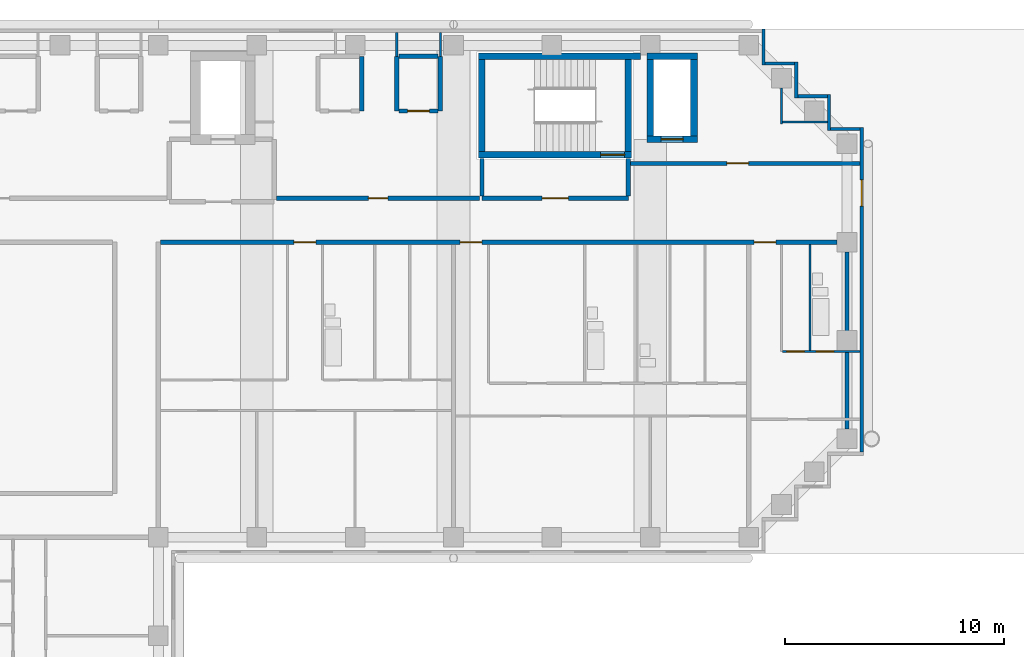
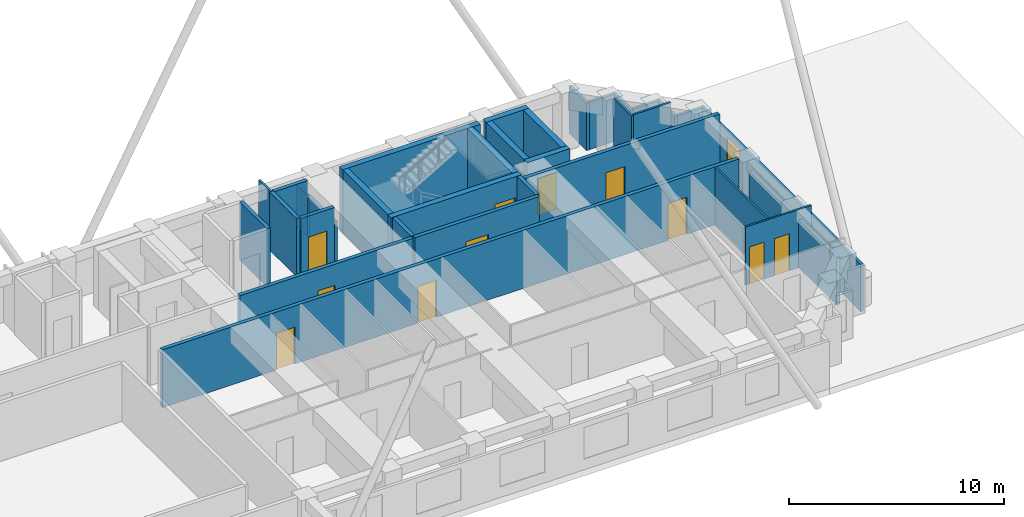
# One storey, part 8 of 11: 33 walls, 12 doors, 12 openings.
"""IFC4 building model written with IfcOpenShell, lengths in metres."""

from ifc_helpers import new_model, si_unit, direction, frame, frame_2d, origin, place, context, subcontext, project, spatial, rectangle, extrude, material, layer, layer_set, type_object, element, fill, save


model = new_model("IFC4")

# Units and contexts
model_context = context("Model", 3, precision=1e-05, world=origin(), true_north=direction((0.0, 1.0)))
body_context = subcontext(model_context, "Body", "Model", "MODEL_VIEW")
ifc_project = project(units=[si_unit("LENGTHUNIT", "METRE"), si_unit("AREAUNIT", "SQUARE_METRE"), si_unit("VOLUMEUNIT", "CUBIC_METRE"), si_unit("PLANEANGLEUNIT", "RADIAN"), si_unit("MASSUNIT", "GRAM", prefix="KILO")], contexts=[model_context])

# Site, building, storey
site_placement = place(None, origin())
site = spatial("IfcSite", under=ifc_project, at=site_placement, CompositionType="ELEMENT")
building_placement = place(site_placement, origin())
building = spatial("IfcBuilding", under=site, at=building_placement, Name="Firuza Court", CompositionType="ELEMENT")
storey_placement = place(building_placement, frame((0.0, 0.0, 186.199951171875)))
storey = spatial("IfcBuildingStorey", under=building, at=storey_placement, Name="L47", CompositionType="ELEMENT", Elevation=186.199951171875)

# Wall
ifc_material_1 = material(Name="Moisture-resistant gypsum board partition")
ifc_layer_1 = layer(ifc_material_1, 0.10009765625)
ifc_layer_set_1 = layer_set([ifc_layer_1], Name="Moisture-resistant gypsum board partition")
wall_type_1 = type_object("IfcWallType", Name="Bathroom partition 100", PredefinedType="PLUMBINGWALL", material=ifc_layer_set_1)
wall_1_placement = place(storey_placement, frame((52.300048828125, 44.550048828125, 0.0), z_axis=(0.0, 0.0, 1.0), x_axis=(0.0, 1.0, 0.0)))
element("IfcWall", 1, at=wall_1_placement, inside=storey, type_object=wall_type_1, Name="Bathroom partition 100 L47", PredefinedType="PLUMBINGWALL", context=body_context, shape_type="SweptSolid", body=[
    extrude(rectangle(XDim=4.849853515625, YDim=0.10009765625, at=frame_2d((2.4248046875, 0.0))), origin(), (0.0, 0.0, 1.0), 3.300048828125),
])

# Wall, opening, door
ifc_material_2 = material(Name="Concrete C50/60", Category="concrete")
ifc_layer_2 = layer(ifc_material_2, 0.300048828125)
ifc_layer_set_2 = layer_set([ifc_layer_2], Name="Concrete C50/60")
wall_type_2 = type_object("IfcWallType", Name="Core wall 300 C50/60", PredefinedType="SHEAR", material=ifc_layer_set_2)
wall_2_placement = place(storey_placement, frame((37.14990234375, 53.5, -0.349853515625), z_axis=(0.0, 0.0, 1.0), x_axis=(1.0, 0.0, 0.0)))
wall_2 = element("IfcWall", 2, at=wall_2_placement, inside=storey, type_object=wall_type_2, Name="Core wall stair L47", PredefinedType="SHEAR", context=body_context, shape_type="SweptSolid", body=[
    extrude(rectangle(XDim=7.0, YDim=0.300048828125, at=frame_2d((3.5, 0.0))), origin(), (0.0, 0.0, 1.0), 3.64990234375),
])
opening_1_placement = place(wall_2_placement, frame((5.580078125, 0.0, 0.35009765625)))
opening_1 = element("IfcOpeningElement", 3, at=opening_1_placement, cuts=wall_2, Name="Opening D47011", PredefinedType="OPENING", context=body_context, shape_type="SweptSolid", body=[
    extrude(rectangle(XDim=1.10009765625, YDim=2.10009765625, at=frame_2d((0.550048828125, 1.050048828125))), frame((0.0, 0.162109375, 0.0), z_axis=(0.0, -1.0, 0.0), x_axis=(1.0, 0.0, 0.0)), (0.0, 0.0, 1.0), 0.323974609375),
])
ifc_material_3 = material(Name="Timber door leaf in hardwood frame", Category="wood")
door_type_1 = type_object("IfcDoorType", Name="Stair door 1100", OperationType="SINGLE_SWING_LEFT", PredefinedType="DOOR", material=ifc_material_3)
door_1_placement = place(opening_1_placement, origin())
door_1 = element("IfcDoor", 4, at=door_1_placement, inside=storey, type_object=door_type_1, Name="Stair door S1", OperationType="SINGLE_SWING_RIGHT", OverallHeight=2.10009765625, OverallWidth=1.10009765625, PredefinedType="DOOR", context=body_context, shape_type="SweptSolid", body=[
    extrude(rectangle(XDim=1.10009765625, YDim=2.10009765625, at=frame_2d((0.550048828125, 1.050048828125))), frame((0.0, 0.02490234375, 0.0), z_axis=(0.0, -1.0, 0.0), x_axis=(1.0, 0.0, 0.0)), (0.0, 0.0, 1.0), 0.050048828125),
])
fill(opening_1, door_1)

# Walls
wall_3_placement = place(storey_placement, frame((37.14990234375, 58.0, -0.349853515625), z_axis=(0.0, 0.0, 1.0), x_axis=(1.0, 0.0, 0.0)))
element("IfcWall", 5, at=wall_3_placement, inside=storey, type_object=wall_type_2, Name="Core wall stair L47", PredefinedType="SHEAR", context=body_context, shape_type="SweptSolid", body=[
    extrude(rectangle(XDim=7.400146484375, YDim=0.300048828125, at=frame_2d((3.7001953125, 0.0))), origin(), (0.0, 0.0, 1.0), 3.64990234375),
])
for number, where, z_axis, x_axis, name in (
    (6, (37.300048828125, 53.64990234375, -0.349853515625), (0.0, 0.0, 1.0), (0.0, 1.0, 0.0), "Core wall stair L47"),
    (7, (44.0, 53.64990234375, -0.349853515625), (0.0, 0.0, 1.0), (0.0, 1.0, 0.0), "Core wall stair L47"),
):
    element("IfcWall", number, at=place(storey_placement, frame(where, z_axis=z_axis, x_axis=x_axis)), inside=storey, type_object=wall_type_2, Name=name, PredefinedType="SHEAR", context=body_context, shape_type="SweptSolid", body=[
        extrude(rectangle(XDim=4.2001953125, YDim=0.300048828125, at=frame_2d((2.10009765625, 0.0))), origin(), (0.0, 0.0, 1.0), 3.64990234375),
    ])

# Wall, opening, door
wall_4_placement = place(storey_placement, frame((44.85009765625, 54.199951171875, -0.349853515625), z_axis=(0.0, 0.0, 1.0), x_axis=(1.0, 0.0, 0.0)))
wall_4 = element("IfcWall", 8, at=wall_4_placement, inside=storey, type_object=wall_type_2, Name="Core wall riser L47", PredefinedType="SHEAR", context=body_context, shape_type="SweptSolid", body=[
    extrude(rectangle(XDim=2.2998046875, YDim=0.300048828125, at=frame_2d((1.14990234375, 0.0))), origin(), (0.0, 0.0, 1.0), 3.64990234375),
])
opening_2_placement = place(wall_4_placement, frame((0.64990234375, 0.0, 0.35009765625)))
opening_2 = element("IfcOpeningElement", 9, at=opening_2_placement, cuts=wall_4, Name="Opening D47009", PredefinedType="OPENING", context=body_context, shape_type="SweptSolid", body=[
    extrude(rectangle(XDim=1.0, YDim=2.10009765625, at=frame_2d((0.5, 1.050048828125))), frame((0.0, 0.162109375, 0.0), z_axis=(0.0, -1.0, 0.0), x_axis=(1.0, 0.0, 0.0)), (0.0, 0.0, 1.0), 0.323974609375),
])
ifc_material_4 = material(Name="Timber door leaf in hardwood frame", Category="wood")
door_type_2 = type_object("IfcDoorType", Name="Riser door 1000", OperationType="SINGLE_SWING_LEFT", PredefinedType="DOOR", material=ifc_material_4)
door_2_placement = place(opening_2_placement, origin())
door_2 = element("IfcDoor", 10, at=door_2_placement, inside=storey, type_object=door_type_2, Name="Riser door R3", OperationType="SINGLE_SWING_LEFT", OverallHeight=2.10009765625, OverallWidth=1.0, PredefinedType="DOOR", context=body_context, shape_type="SweptSolid", body=[
    extrude(rectangle(XDim=1.0, YDim=2.10009765625, at=frame_2d((0.5, 1.050048828125))), frame((0.0, 0.02490234375, 0.0), z_axis=(0.0, -1.0, 0.0), x_axis=(1.0, 0.0, 0.0)), (0.0, 0.0, 1.0), 0.050048828125),
])
fill(opening_2, door_2)

# Walls
wall_5_placement = place(storey_placement, frame((44.85009765625, 58.0, -0.349853515625), z_axis=(0.0, 0.0, 1.0), x_axis=(1.0, 0.0, 0.0)))
element("IfcWall", 11, at=wall_5_placement, inside=storey, type_object=wall_type_2, Name="Core wall riser L47", PredefinedType="SHEAR", context=body_context, shape_type="SweptSolid", body=[
    extrude(rectangle(XDim=2.2998046875, YDim=0.300048828125, at=frame_2d((1.14990234375, 0.0))), origin(), (0.0, 0.0, 1.0), 3.64990234375),
])
for number, where, z_axis, x_axis, name in (
    (12, (45.0, 54.35009765625, -0.349853515625), (0.0, 0.0, 1.0), (0.0, 1.0, 0.0), "Core wall riser L47"),
    (13, (47.0, 54.35009765625, -0.349853515625), (0.0, 0.0, 1.0), (0.0, 1.0, 0.0), "Core wall riser L47"),
):
    element("IfcWall", number, at=place(storey_placement, frame(where, z_axis=z_axis, x_axis=x_axis)), inside=storey, type_object=wall_type_2, Name=name, PredefinedType="SHEAR", context=body_context, shape_type="SweptSolid", body=[
        extrude(rectangle(XDim=3.5, YDim=0.300048828125, at=frame_2d((1.75, 0.0))), origin(), (0.0, 0.0, 1.0), 3.64990234375),
    ])

# Wall, openings, doors
ifc_material_5 = material(Name="Blockwork, plastered both sides", Category="masonry")
ifc_layer_3 = layer(ifc_material_5, 0.199951171875)
ifc_layer_set_3 = layer_set([ifc_layer_3], Name="Blockwork, plastered both sides")
wall_type_3 = type_object("IfcWallType", Name="Corridor wall 200", PredefinedType="PARTITIONING", material=ifc_layer_set_3)
wall_6_placement = place(storey_placement, frame((22.60009765625, 49.5, 0.0), z_axis=(0.0, 0.0, 1.0), x_axis=(1.0, 0.0, 0.0)))
wall_6 = element("IfcWall", 14, at=wall_6_placement, inside=storey, type_object=wall_type_3, Name="Corridor wall 200 L47", PredefinedType="PARTITIONING", context=body_context, shape_type="SweptSolid", body=[
    extrude(rectangle(XDim=30.949951171875, YDim=0.199951171875, at=frame_2d((15.47509765625, 0.0))), origin(), (0.0, 0.0, 1.0), 3.300048828125),
])
opening_3_placement = place(wall_6_placement, frame((6.10009765625, 0.0, 0.0)))
opening_3 = element("IfcOpeningElement", 15, at=opening_3_placement, cuts=wall_6, Name="Opening D47055", PredefinedType="OPENING", context=body_context, shape_type="SweptSolid", body=[
    extrude(rectangle(XDim=1.0, YDim=2.10009765625, at=frame_2d((0.5, 1.050048828125))), frame((0.0, 0.11181640625, 0.0), z_axis=(0.0, -1.0, 0.0), x_axis=(1.0, 0.0, 0.0)), (0.0, 0.0, 1.0), 0.223876953125),
])
opening_4_placement = place(wall_6_placement, frame((13.699951171875, 0.0, 0.0)))
opening_4 = element("IfcOpeningElement", 16, at=opening_4_placement, cuts=wall_6, Name="Opening D47056", PredefinedType="OPENING", context=body_context, shape_type="SweptSolid", body=[
    extrude(rectangle(XDim=1.0, YDim=2.10009765625, at=frame_2d((0.5, 1.050048828125))), frame((0.0, 0.11181640625, 0.0), z_axis=(0.0, -1.0, 0.0), x_axis=(1.0, 0.0, 0.0)), (0.0, 0.0, 1.0), 0.223876953125),
])
opening_5_placement = place(wall_6_placement, frame((27.14990234375, 0.0, 0.0)))
opening_5 = element("IfcOpeningElement", 17, at=opening_5_placement, cuts=wall_6, Name="Opening D47057", PredefinedType="OPENING", context=body_context, shape_type="SweptSolid", body=[
    extrude(rectangle(XDim=1.0, YDim=2.10009765625, at=frame_2d((0.5, 1.050048828125))), frame((0.0, 0.11181640625, 0.0), z_axis=(0.0, -1.0, 0.0), x_axis=(1.0, 0.0, 0.0)), (0.0, 0.0, 1.0), 0.223876953125),
])
ifc_material_6 = material(Name="Timber door leaf in hardwood frame", Category="wood")
door_type_3 = type_object("IfcDoorType", Name="Flat entrance door 1000", OperationType="SINGLE_SWING_LEFT", PredefinedType="DOOR", material=ifc_material_6)
door_3_placement = place(opening_3_placement, origin())
door_3 = element("IfcDoor", 18, at=door_3_placement, inside=storey, type_object=door_type_3, Name="Flat entrance door", OperationType="SINGLE_SWING_LEFT", OverallHeight=2.10009765625, OverallWidth=1.0, PredefinedType="DOOR", context=body_context, shape_type="SweptSolid", body=[
    extrude(rectangle(XDim=1.0, YDim=2.10009765625, at=frame_2d((0.5, 1.050048828125))), frame((0.0, 0.02490234375, 0.0), z_axis=(0.0, -1.0, 0.0), x_axis=(1.0, 0.0, 0.0)), (0.0, 0.0, 1.0), 0.050048828125),
])
fill(opening_3, door_3)
door_4_placement = place(opening_4_placement, origin())
door_4 = element("IfcDoor", 19, at=door_4_placement, inside=storey, type_object=door_type_3, Name="Flat entrance door", OperationType="SINGLE_SWING_LEFT", OverallHeight=2.10009765625, OverallWidth=1.0, PredefinedType="DOOR", context=body_context, shape_type="SweptSolid", body=[
    extrude(rectangle(XDim=1.0, YDim=2.10009765625, at=frame_2d((0.5, 1.050048828125))), frame((0.0, 0.02490234375, 0.0), z_axis=(0.0, -1.0, 0.0), x_axis=(1.0, 0.0, 0.0)), (0.0, 0.0, 1.0), 0.050048828125),
])
fill(opening_4, door_4)
door_5_placement = place(opening_5_placement, origin())
door_5 = element("IfcDoor", 20, at=door_5_placement, inside=storey, type_object=door_type_3, Name="Flat entrance door", OperationType="SINGLE_SWING_RIGHT", OverallHeight=2.10009765625, OverallWidth=1.0, PredefinedType="DOOR", context=body_context, shape_type="SweptSolid", body=[
    extrude(rectangle(XDim=1.0, YDim=2.10009765625, at=frame_2d((0.5, 1.050048828125))), frame((0.0, 0.02490234375, 0.0), z_axis=(0.0, -1.0, 0.0), x_axis=(1.0, 0.0, 0.0)), (0.0, 0.0, 1.0), 0.050048828125),
])
fill(opening_5, door_5)

# Wall, opening, door
wall_7_placement = place(storey_placement, frame((27.89990234375, 51.5, 0.0), z_axis=(0.0, 0.0, 1.0), x_axis=(1.0, 0.0, 0.0)))
wall_7 = element("IfcWall", 21, at=wall_7_placement, inside=storey, type_object=wall_type_3, Name="Corridor wall 200 L47", PredefinedType="PARTITIONING", context=body_context, shape_type="SweptSolid", body=[
    extrude(rectangle(XDim=9.300048828125, YDim=0.199951171875, at=frame_2d((4.64990234375, 0.0))), origin(), (0.0, 0.0, 1.0), 3.300048828125),
])
opening_6_placement = place(wall_7_placement, frame((4.199951171875, 0.0, 0.0)))
opening_6 = element("IfcOpeningElement", 22, at=opening_6_placement, cuts=wall_7, Name="Opening D47059", PredefinedType="OPENING", context=body_context, shape_type="SweptSolid", body=[
    extrude(rectangle(XDim=0.89990234375, YDim=2.10009765625, at=frame_2d((0.449951171875, 1.050048828125))), frame((0.0, 0.11181640625, 0.0), z_axis=(0.0, -1.0, 0.0), x_axis=(1.0, 0.0, 0.0)), (0.0, 0.0, 1.0), 0.223876953125),
])
ifc_material_7 = material(Name="Timber door leaf in hardwood frame", Category="wood")
door_type_4 = type_object("IfcDoorType", Name="Room door 900 EI 30", OperationType="SINGLE_SWING_LEFT", PredefinedType="DOOR", material=ifc_material_7)
door_6_placement = place(opening_6_placement, origin())
door_6 = element("IfcDoor", 23, at=door_6_placement, inside=storey, type_object=door_type_4, Name="Meeting room door", OperationType="SINGLE_SWING_LEFT", OverallHeight=2.10009765625, OverallWidth=0.89990234375, PredefinedType="DOOR", context=body_context, shape_type="SweptSolid", body=[
    extrude(rectangle(XDim=0.89990234375, YDim=2.10009765625, at=frame_2d((0.449951171875, 1.050048828125))), frame((0.0, 0.02490234375, 0.0), z_axis=(0.0, -1.0, 0.0), x_axis=(1.0, 0.0, 0.0)), (0.0, 0.0, 1.0), 0.050048828125),
])
fill(opening_6, door_6)

wall_8_placement = place(storey_placement, frame((44.10009765625, 53.10009765625, 0.0), z_axis=(0.0, 0.0, 1.0), x_axis=(1.0, 0.0, 0.0)))
wall_8 = element("IfcWall", 24, at=wall_8_placement, inside=storey, type_object=wall_type_3, Name="Corridor wall 200 L47", PredefinedType="PARTITIONING", context=body_context, shape_type="SweptSolid", body=[
    extrude(rectangle(XDim=10.5, YDim=0.199951171875, at=frame_2d((5.25, 0.0))), origin(), (0.0, 0.0, 1.0), 3.300048828125),
])
opening_7_placement = place(wall_8_placement, frame((4.39990234375, 0.0, 0.0)))
opening_7 = element("IfcOpeningElement", 25, at=opening_7_placement, cuts=wall_8, Name="Opening D47060", PredefinedType="OPENING", context=body_context, shape_type="SweptSolid", body=[
    extrude(rectangle(XDim=1.0, YDim=2.10009765625, at=frame_2d((0.5, 1.050048828125))), frame((0.0, 0.11181640625, 0.0), z_axis=(0.0, -1.0, 0.0), x_axis=(1.0, 0.0, 0.0)), (0.0, 0.0, 1.0), 0.223876953125),
])
ifc_material_8 = material(Name="Timber door leaf in hardwood frame", Category="wood")
door_type_5 = type_object("IfcDoorType", Name="Store door 1000", OperationType="SINGLE_SWING_LEFT", PredefinedType="DOOR", material=ifc_material_8)
door_7_placement = place(opening_7_placement, origin())
door_7 = element("IfcDoor", 26, at=door_7_placement, inside=storey, type_object=door_type_5, Name="Valet store door", OperationType="SINGLE_SWING_LEFT", OverallHeight=2.10009765625, OverallWidth=1.0, PredefinedType="DOOR", context=body_context, shape_type="SweptSolid", body=[
    extrude(rectangle(XDim=1.0, YDim=2.10009765625, at=frame_2d((0.5, 1.050048828125))), frame((0.0, 0.02490234375, 0.0), z_axis=(0.0, -1.0, 0.0), x_axis=(1.0, 0.0, 0.0)), (0.0, 0.0, 1.0), 0.050048828125),
])
fill(opening_7, door_7)

# Wall, openings, doors
ifc_material_9 = material(Name="Timber stud partition, plasterboard both sides", Category="wood")
ifc_layer_4 = layer(ifc_material_9, 0.10009765625)
ifc_layer_set_4 = layer_set([ifc_layer_4], Name="Timber stud partition, plasterboard both sides")
wall_type_4 = type_object("IfcWallType", Name="Partition wall 100", PredefinedType="PARTITIONING", material=ifc_layer_set_4)
wall_9_placement = place(storey_placement, frame((51.050048828125, 44.5, 0.0), z_axis=(0.0, 0.0, 1.0), x_axis=(1.0, 0.0, 0.0)))
wall_9 = element("IfcWall", 27, at=wall_9_placement, inside=storey, type_object=wall_type_4, Name="Partition wall 100 L47", PredefinedType="PARTITIONING", context=body_context, shape_type="SweptSolid", body=[
    extrude(rectangle(XDim=3.550048828125, YDim=0.10009765625, at=frame_2d((1.77490234375, 0.0))), origin(), (0.0, 0.0, 1.0), 3.300048828125),
])
opening_8_placement = place(wall_9_placement, frame((1.550048828125, 0.0, 0.0)))
opening_8 = element("IfcOpeningElement", 28, at=opening_8_placement, cuts=wall_9, Name="Opening D47053", PredefinedType="OPENING", context=body_context, shape_type="SweptSolid", body=[
    extrude(rectangle(XDim=0.800048828125, YDim=2.10009765625, at=frame_2d((0.39990234375, 1.050048828125))), frame((0.0, 0.06201171875, 0.0), z_axis=(0.0, -1.0, 0.0), x_axis=(1.0, 0.0, 0.0)), (0.0, 0.0, 1.0), 0.1240234375),
])
opening_9_placement = place(wall_9_placement, frame((0.199951171875, 0.0, 0.0)))
opening_9 = element("IfcOpeningElement", 29, at=opening_9_placement, cuts=wall_9, Name="Opening D47054", PredefinedType="OPENING", context=body_context, shape_type="SweptSolid", body=[
    extrude(rectangle(XDim=0.800048828125, YDim=2.10009765625, at=frame_2d((0.39990234375, 1.050048828125))), frame((0.0, 0.06201171875, 0.0), z_axis=(0.0, -1.0, 0.0), x_axis=(1.0, 0.0, 0.0)), (0.0, 0.0, 1.0), 0.1240234375),
])
ifc_material_10 = material(Name="Timber door leaf in hardwood frame", Category="wood")
door_type_6 = type_object("IfcDoorType", Name="Bathroom door 800", OperationType="SINGLE_SWING_LEFT", PredefinedType="DOOR", material=ifc_material_10)
door_8_placement = place(opening_8_placement, origin())
door_8 = element("IfcDoor", 30, at=door_8_placement, inside=storey, type_object=door_type_6, Name="Bathroom door", OperationType="SINGLE_SWING_LEFT", OverallHeight=2.10009765625, OverallWidth=0.800048828125, PredefinedType="DOOR", context=body_context, shape_type="SweptSolid", body=[
    extrude(rectangle(XDim=0.800048828125, YDim=2.10009765625, at=frame_2d((0.39990234375, 1.050048828125))), frame((0.0, 0.02490234375, 0.0), z_axis=(0.0, -1.0, 0.0), x_axis=(1.0, 0.0, 0.0)), (0.0, 0.0, 1.0), 0.050048828125),
])
fill(opening_8, door_8)
ifc_material_11 = material(Name="Timber door leaf in hardwood frame", Category="wood")
door_type_7 = type_object("IfcDoorType", Name="Room door 800", OperationType="SINGLE_SWING_LEFT", PredefinedType="DOOR", material=ifc_material_11)
door_9_placement = place(opening_9_placement, origin())
door_9 = element("IfcDoor", 31, at=door_9_placement, inside=storey, type_object=door_type_7, Name="Kitchen door", OperationType="SINGLE_SWING_LEFT", OverallHeight=2.10009765625, OverallWidth=0.800048828125, PredefinedType="DOOR", context=body_context, shape_type="SweptSolid", body=[
    extrude(rectangle(XDim=0.800048828125, YDim=2.10009765625, at=frame_2d((0.39990234375, 1.050048828125))), frame((0.0, 0.02490234375, 0.0), z_axis=(0.0, -1.0, 0.0), x_axis=(1.0, 0.0, 0.0)), (0.0, 0.0, 1.0), 0.050048828125),
])
fill(opening_9, door_9)

# Walls
wall_10_placement = place(storey_placement, frame((51.0, 54.89990234375, 0.0), z_axis=(0.0, 0.0, 1.0), x_axis=(0.0, 1.0, 0.0)))
element("IfcWall", 32, at=wall_10_placement, inside=storey, type_object=wall_type_4, Name="Partition wall 100 L47", PredefinedType="PARTITIONING", context=body_context, shape_type="SweptSolid", body=[
    extrude(rectangle(XDim=1.650146484375, YDim=0.10009765625, at=frame_2d((0.8251953125, 0.0))), origin(), (0.0, 0.0, 1.0), 3.300048828125),
])
wall_11_placement = place(storey_placement, frame((51.050048828125, 55.0, 0.0), z_axis=(0.0, 0.0, 1.0), x_axis=(1.0, 0.0, 0.0)))
element("IfcWall", 33, at=wall_11_placement, inside=storey, type_object=wall_type_4, Name="Partition wall 100 L47", PredefinedType="PARTITIONING", context=body_context, shape_type="SweptSolid", body=[
    extrude(rectangle(XDim=2.050048828125, YDim=0.10009765625, at=frame_2d((1.02490234375, 0.0))), origin(), (0.0, 0.0, 1.0), 3.300048828125),
])
wall_12_placement = place(storey_placement, frame((33.39990234375, 58.0, 0.0), z_axis=(0.0, 0.0, 1.0), x_axis=(0.0, 1.0, 0.0)))
element("IfcWall", 34, at=wall_12_placement, inside=storey, type_object=wall_type_4, Name="Partition wall 100 L47", PredefinedType="PARTITIONING", context=body_context, shape_type="SweptSolid", body=[
    extrude(rectangle(XDim=1.10009765625, YDim=0.10009765625, at=frame_2d((0.550048828125, 0.0))), origin(), (0.0, 0.0, 1.0), 3.300048828125),
])
wall_13_placement = place(storey_placement, frame((35.39990234375, 58.0, 0.0), z_axis=(0.0, 0.0, 1.0), x_axis=(0.0, 1.0, 0.0)))
element("IfcWall", 35, at=wall_13_placement, inside=storey, type_object=wall_type_4, Name="Partition wall 100 L47", PredefinedType="PARTITIONING", context=body_context, shape_type="SweptSolid", body=[
    extrude(rectangle(XDim=1.10009765625, YDim=0.10009765625, at=frame_2d((0.550048828125, 0.0))), origin(), (0.0, 0.0, 1.0), 2.400146484375),
])
ifc_layer_5 = layer(ifc_material_5, 0.199951171875)
ifc_layer_set_5 = layer_set([ifc_layer_5], Name="Blockwork, plastered both sides")
wall_type_5 = type_object("IfcWallType", Name="Party wall 200", PredefinedType="PARTITIONING", material=ifc_layer_set_5)
wall_14_placement = place(storey_placement, frame((54.0, 40.949951171875, 0.0), z_axis=(0.0, 0.0, 1.0), x_axis=(0.0, 1.0, 0.0)))
element("IfcWall", 36, at=wall_14_placement, inside=storey, type_object=wall_type_5, Name="Party wall 200 L47", PredefinedType="PARTITIONING", context=body_context, shape_type="SweptSolid", body=[
    extrude(rectangle(XDim=8.10009765625, YDim=0.199951171875, at=frame_2d((4.050048828125, 0.0))), origin(), (0.0, 0.0, 1.0), 2.699951171875),
])
ifc_material_12 = material(Name="Blockwork, fire-rated", Category="masonry")
ifc_layer_6 = layer(ifc_material_12, 0.199951171875)
ifc_layer_set_6 = layer_set([ifc_layer_6], Name="Blockwork, fire-rated")
wall_type_6 = type_object("IfcWallType", Name="Plant room wall 200", PredefinedType="PARTITIONING", material=ifc_layer_set_6)
for number, where, z_axis, x_axis, name in (
    (37, (31.800048828125, 55.5, 0.0), (0.0, 0.0, 1.0), (0.0, 1.0, 0.0), "Plant room wall 200 L47"),
    (38, (33.39990234375, 55.5, 0.0), (0.0, 0.0, 1.0), (0.0, 1.0, 0.0), "Plant room wall 200 L47"),
):
    element("IfcWall", number, at=place(storey_placement, frame(where, z_axis=z_axis, x_axis=x_axis)), inside=storey, type_object=wall_type_6, Name=name, PredefinedType="PARTITIONING", context=body_context, shape_type="SweptSolid", body=[
        extrude(rectangle(XDim=2.5, YDim=0.199951171875, at=frame_2d((1.25, 0.0))), origin(), (0.0, 0.0, 1.0), 3.300048828125),
    ])

# Wall, opening, door
wall_15_placement = place(storey_placement, frame((33.5, 55.5, 0.0), z_axis=(0.0, 0.0, 1.0), x_axis=(1.0, 0.0, 0.0)))
wall_15 = element("IfcWall", 39, at=wall_15_placement, inside=storey, type_object=wall_type_6, Name="Plant room wall 200 L47", PredefinedType="PARTITIONING", context=body_context, shape_type="SweptSolid", body=[
    extrude(rectangle(XDim=1.800048828125, YDim=0.199951171875, at=frame_2d((0.89990234375, 0.0))), origin(), (0.0, 0.0, 1.0), 3.300048828125),
])
opening_10_placement = place(wall_15_placement, frame((0.39990234375, 0.0, 0.0)))
opening_10 = element("IfcOpeningElement", 40, at=opening_10_placement, cuts=wall_15, Name="Opening D47065", PredefinedType="OPENING", context=body_context, shape_type="SweptSolid", body=[
    extrude(rectangle(XDim=1.0, YDim=2.10009765625, at=frame_2d((0.5, 1.050048828125))), frame((0.0, 0.11181640625, 0.0), z_axis=(0.0, -1.0, 0.0), x_axis=(1.0, 0.0, 0.0)), (0.0, 0.0, 1.0), 0.223876953125),
])
door_10_placement = place(opening_10_placement, origin())
door_10 = element("IfcDoor", 41, at=door_10_placement, inside=storey, type_object=door_type_2, Name="Duct riser door", OperationType="SINGLE_SWING_LEFT", OverallHeight=2.10009765625, OverallWidth=1.0, PredefinedType="DOOR", context=body_context, shape_type="SweptSolid", body=[
    extrude(rectangle(XDim=1.0, YDim=2.10009765625, at=frame_2d((0.5, 1.050048828125))), frame((0.0, 0.02490234375, 0.0), z_axis=(0.0, -1.0, 0.0), x_axis=(1.0, 0.0, 0.0)), (0.0, 0.0, 1.0), 0.050048828125),
])
fill(opening_10, door_10)

# Walls
wall_16_placement = place(storey_placement, frame((35.39990234375, 55.5, 0.0), z_axis=(0.0, 0.0, 1.0), x_axis=(0.0, 1.0, 0.0)))
element("IfcWall", 42, at=wall_16_placement, inside=storey, type_object=wall_type_6, Name="Plant room wall 200 L47", PredefinedType="PARTITIONING", context=body_context, shape_type="SweptSolid", body=[
    extrude(rectangle(XDim=2.5, YDim=0.199951171875, at=frame_2d((1.25, 0.0))), origin(), (0.0, 0.0, 1.0), 2.400146484375),
])
wall_17_placement = place(storey_placement, frame((33.5, 58.0, 0.0), z_axis=(0.0, 0.0, 1.0), x_axis=(1.0, 0.0, 0.0)))
element("IfcWall", 43, at=wall_17_placement, inside=storey, type_object=wall_type_6, Name="Plant room wall 200 L47", PredefinedType="PARTITIONING", context=body_context, shape_type="SweptSolid", body=[
    extrude(rectangle(XDim=1.800048828125, YDim=0.199951171875, at=frame_2d((0.89990234375, 0.0))), origin(), (0.0, 0.0, 1.0), 3.300048828125),
])

# Wall, opening, door
ifc_material_13 = material(Name="Ceramic tile", Category="ceramic")
ifc_layer_7 = layer(ifc_material_13, 0.02001953125)
ifc_material_14 = material(Name="Mineral wool insulation", Category="insulation")
ifc_layer_8 = layer(ifc_material_14, 0.050048828125)
ifc_material_15 = material(Name="Concrete C40/50 precast", Category="concrete")
ifc_layer_9 = layer(ifc_material_15, 0.080078125)
ifc_layer_set_7 = layer_set([ifc_layer_7, ifc_layer_8, ifc_layer_9], Name="Concrete C40/50 precast")
wall_type_7 = type_object("IfcWallType", Name="Precast cladding wall with turquoise TILE PANEL face 150", PredefinedType="STANDARD", material=ifc_layer_set_7)
wall_18_placement = place(storey_placement, frame((54.675048828125, 39.89990234375, 0.0), z_axis=(0.0, 0.0, 1.0), x_axis=(0.0, 1.0, 0.0)))
wall_18 = element("IfcWall", 44, at=wall_18_placement, inside=storey, type_object=wall_type_7, Name="Facade wall L47 E", PredefinedType="STANDARD", context=body_context, shape_type="SweptSolid", body=[
    extrude(rectangle(XDim=14.85009765625, YDim=0.14990234375, at=frame_2d((7.425048828125, 0.0))), origin(), (0.0, 0.0, 1.0), 2.699951171875),
])
opening_11_placement = place(wall_18_placement, frame((11.25, 0.0, 0.0)))
opening_11 = element("IfcOpeningElement", 45, at=opening_11_placement, cuts=wall_18, Name="Opening D47901", PredefinedType="OPENING", context=body_context, shape_type="SweptSolid", body=[
    extrude(rectangle(XDim=1.199951171875, YDim=2.39990234375, at=frame_2d((0.60009765625, 1.199951171875))), frame((0.0, 0.0869140625, 0.0), z_axis=(0.0, -1.0, 0.0), x_axis=(1.0, 0.0, 0.0)), (0.0, 0.0, 1.0), 0.173828125),
])
ifc_material_16 = material(Name="Timber door leaf in hardwood frame", Category="wood")
door_type_8 = type_object("IfcDoorType", Name="Terrace door 1200", OperationType="DOUBLE_DOOR_SINGLE_SWING", PredefinedType="DOOR", material=ifc_material_16)
door_11_placement = place(opening_11_placement, origin())
door_11 = element("IfcDoor", 46, at=door_11_placement, inside=storey, type_object=door_type_8, Name="Terrace door L47", OperationType="DOUBLE_DOOR_SINGLE_SWING", OverallHeight=2.39990234375, OverallWidth=1.199951171875, PredefinedType="DOOR", context=body_context, shape_type="SweptSolid", body=[
    extrude(rectangle(XDim=1.199951171875, YDim=2.39990234375, at=frame_2d((0.60009765625, 1.199951171875))), frame((0.0, 0.02490234375, 0.0), z_axis=(0.0, -1.0, 0.0), x_axis=(1.0, 0.0, 0.0)), (0.0, 0.0, 1.0), 0.050048828125),
])
fill(opening_11, door_11)

# Walls
wall_19_placement = place(storey_placement, frame((54.60009765625, 54.675048828125, 0.0), z_axis=(0.0, 0.0, 1.0), x_axis=(-1.0, 0.0, 0.0)))
element("IfcWall", 47, at=wall_19_placement, inside=storey, type_object=wall_type_7, Name="Facade wall L47 N", PredefinedType="STANDARD", context=body_context, shape_type="SweptSolid", body=[
    extrude(rectangle(XDim=1.35009765625, YDim=0.14990234375, at=frame_2d((0.675048828125, 0.0))), origin(), (0.0, 0.0, 1.0), 2.699951171875),
])
wall_20_placement = place(storey_placement, frame((53.175048828125, 54.60009765625, 0.0), z_axis=(0.0, 0.0, 1.0), x_axis=(0.0, 1.0, 0.0)))
element("IfcWall", 48, at=wall_20_placement, inside=storey, type_object=wall_type_7, Name="Facade wall L47 E", PredefinedType="STANDARD", context=body_context, shape_type="SweptSolid", body=[
    extrude(rectangle(XDim=1.64990234375, YDim=0.14990234375, at=frame_2d((0.824951171875, 0.0))), origin(), (0.0, 0.0, 1.0), 2.699951171875),
])
wall_21_placement = place(storey_placement, frame((53.10009765625, 56.175048828125, 0.0), z_axis=(0.0, 0.0, 1.0), x_axis=(-1.0, 0.0, 0.0)))
element("IfcWall", 49, at=wall_21_placement, inside=storey, type_object=wall_type_7, Name="Facade wall L47 N", PredefinedType="STANDARD", context=body_context, shape_type="SweptSolid", body=[
    extrude(rectangle(XDim=1.35009765625, YDim=0.14990234375, at=frame_2d((0.675048828125, 0.0))), origin(), (0.0, 0.0, 1.0), 2.699951171875),
])
wall_22_placement = place(storey_placement, frame((51.675048828125, 56.10009765625, 0.0), z_axis=(0.0, 0.0, 1.0), x_axis=(0.0, 1.0, 0.0)))
element("IfcWall", 50, at=wall_22_placement, inside=storey, type_object=wall_type_7, Name="Facade wall L47 E", PredefinedType="STANDARD", context=body_context, shape_type="SweptSolid", body=[
    extrude(rectangle(XDim=1.64990234375, YDim=0.14990234375, at=frame_2d((0.824951171875, 0.0))), origin(), (0.0, 0.0, 1.0), 2.699951171875),
])
wall_23_placement = place(storey_placement, frame((51.60009765625, 57.675048828125, 0.0), z_axis=(0.0, 0.0, 1.0), x_axis=(-1.0, 0.0, 0.0)))
element("IfcWall", 51, at=wall_23_placement, inside=storey, type_object=wall_type_7, Name="Facade wall L47 N", PredefinedType="STANDARD", context=body_context, shape_type="SweptSolid", body=[
    extrude(rectangle(XDim=1.35009765625, YDim=0.14990234375, at=frame_2d((0.675048828125, 0.0))), origin(), (0.0, 0.0, 1.0), 2.699951171875),
])
wall_24_placement = place(storey_placement, frame((50.175048828125, 57.60009765625, 0.0), z_axis=(0.0, 0.0, 1.0), x_axis=(0.0, 1.0, 0.0)))
element("IfcWall", 52, at=wall_24_placement, inside=storey, type_object=wall_type_7, Name="Facade wall L47 E", PredefinedType="STANDARD", context=body_context, shape_type="SweptSolid", body=[
    extrude(rectangle(XDim=1.64990234375, YDim=0.14990234375, at=frame_2d((0.824951171875, 0.0))), origin(), (0.0, 0.0, 1.0), 2.699951171875),
])

# Wall, opening, door
ifc_layer_10 = layer(ifc_material_12, 0.199951171875)
ifc_layer_set_8 = layer_set([ifc_layer_10], Name="Blockwork, fire-rated")
wall_type_8 = type_object("IfcWallType", Name="Shaft wall 200", PredefinedType="PARTITIONING", material=ifc_layer_set_8)
wall_25_placement = place(storey_placement, frame((37.300048828125, 51.5, 0.0), z_axis=(0.0, 0.0, 1.0), x_axis=(1.0, 0.0, 0.0)))
wall_25 = element("IfcWall", 53, at=wall_25_placement, inside=storey, type_object=wall_type_8, Name="Shaft wall 200 L47", PredefinedType="PARTITIONING", context=body_context, shape_type="SweptSolid", body=[
    extrude(rectangle(XDim=6.699951171875, YDim=0.199951171875, at=frame_2d((3.35009765625, 0.0))), origin(), (0.0, 0.0, 1.0), 3.300048828125),
])
opening_12_placement = place(wall_25_placement, frame((2.75, 0.0, 0.0)))
opening_12 = element("IfcOpeningElement", 54, at=opening_12_placement, cuts=wall_25, Name="Opening D47006", PredefinedType="OPENING", context=body_context, shape_type="SweptSolid", body=[
    extrude(rectangle(XDim=1.199951171875, YDim=2.10009765625, at=frame_2d((0.60009765625, 1.050048828125))), frame((0.0, 0.11181640625, 0.0), z_axis=(0.0, -1.0, 0.0), x_axis=(1.0, 0.0, 0.0)), (0.0, 0.0, 1.0), 0.223876953125),
])
ifc_material_17 = material(Name="Timber door leaf in hardwood frame", Category="wood")
door_type_9 = type_object("IfcDoorType", Name="Lobby door 1200", OperationType="SINGLE_SWING_LEFT", PredefinedType="DOOR", material=ifc_material_17)
door_12_placement = place(opening_12_placement, origin())
door_12 = element("IfcDoor", 55, at=door_12_placement, inside=storey, type_object=door_type_9, Name="Lobby door", OperationType="SINGLE_SWING_LEFT", OverallHeight=2.10009765625, OverallWidth=1.199951171875, PredefinedType="DOOR", context=body_context, shape_type="SweptSolid", body=[
    extrude(rectangle(XDim=1.199951171875, YDim=2.10009765625, at=frame_2d((0.60009765625, 1.050048828125))), frame((0.0, 0.02490234375, 0.0), z_axis=(0.0, -1.0, 0.0), x_axis=(1.0, 0.0, 0.0)), (0.0, 0.0, 1.0), 0.050048828125),
])
fill(opening_12, door_12)

# Walls
for number, where, z_axis, x_axis, name in (
    (56, (44.0, 51.60009765625, 0.0), (0.0, 0.0, 1.0), (0.0, 1.0, 0.0), "Shaft wall 200 L47"),
    (57, (37.300048828125, 51.60009765625, 0.0), (0.0, 0.0, 1.0), (0.0, 1.0, 0.0), "Shaft wall 200 L47"),
):
    element("IfcWall", number, at=place(storey_placement, frame(where, z_axis=z_axis, x_axis=x_axis)), inside=storey, type_object=wall_type_8, Name=name, PredefinedType="PARTITIONING", context=body_context, shape_type="SweptSolid", body=[
        extrude(rectangle(XDim=1.72998046875, YDim=0.199951171875, at=frame_2d((0.864990234375, 0.0))), origin(), (0.0, 0.0, 1.0), 3.300048828125),
    ])

save(model, "model.ifc")
